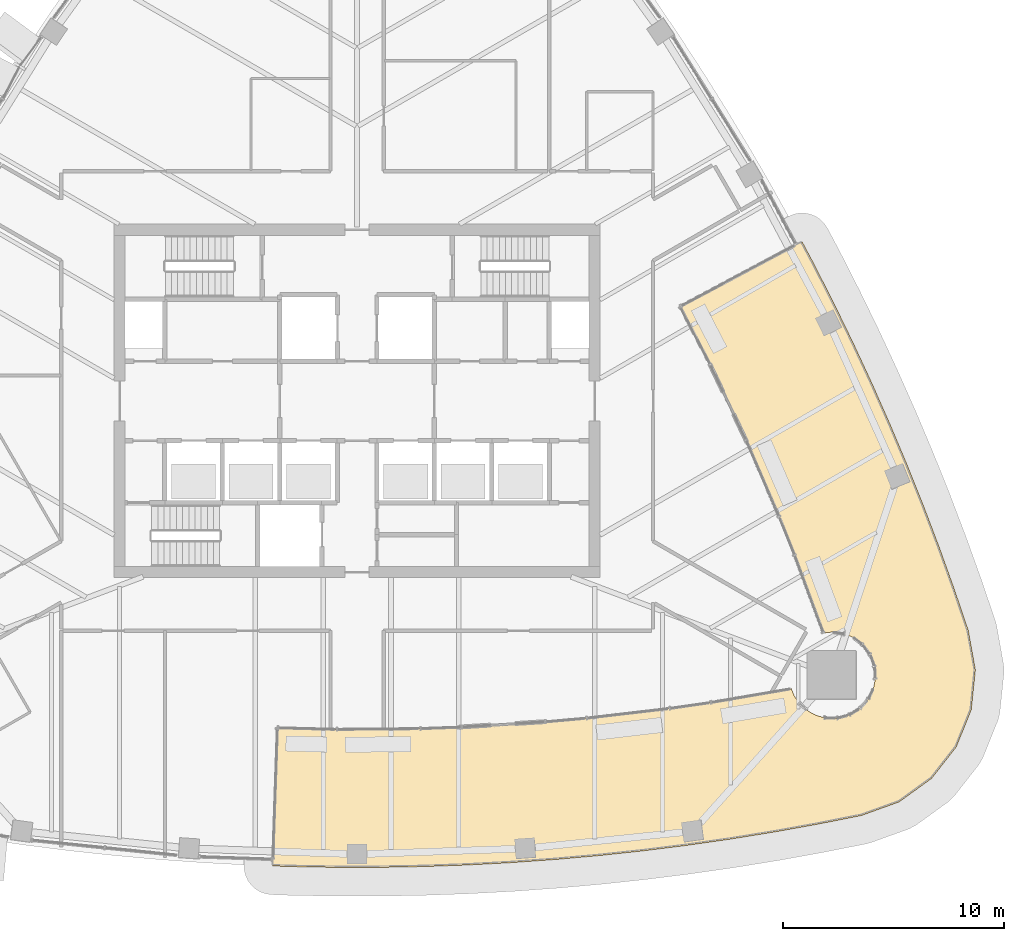
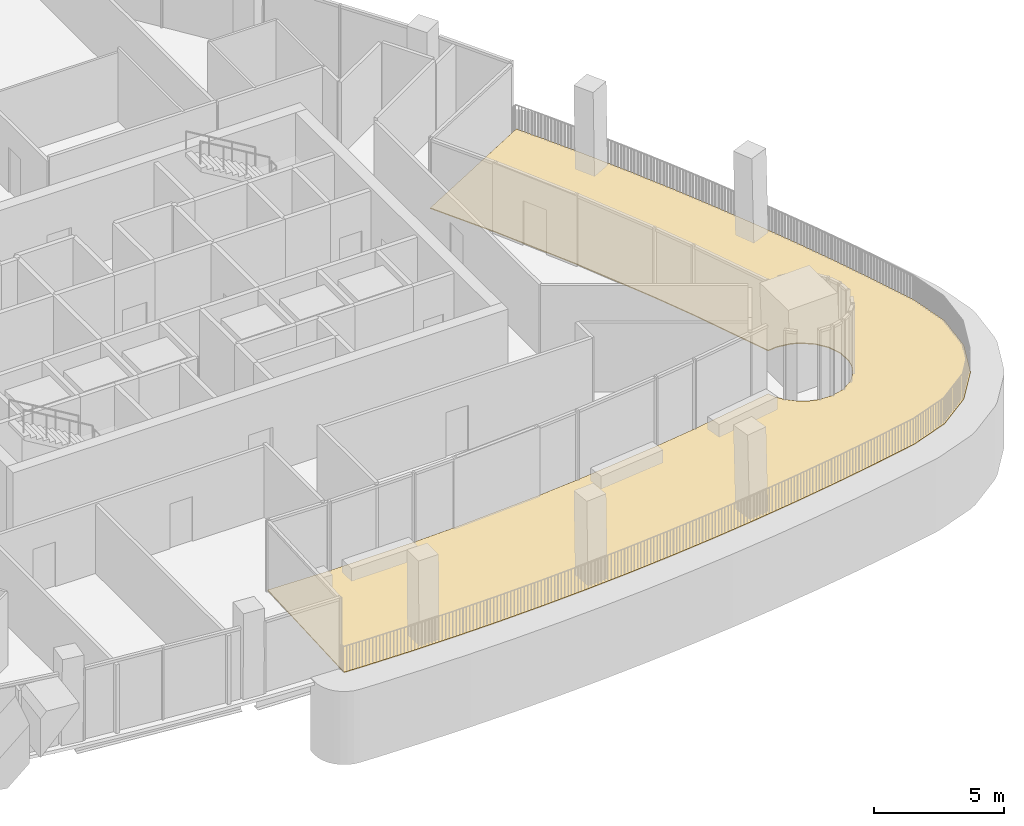
# One storey, part 18 of 21: 1 covering.
"""IFC4 building model written with IfcOpenShell, lengths in metres."""

import ifcopenshell
import ifcopenshell.guid

model = None  # the IFC model being written
_history = None  # IfcOwnerHistory: only IFC2X3 demands one
_inside = {}  # id of a spatial element -> (the spatial element, [elements in it])
_under = {}  # id of a project, library or spatial element -> (it, [spatial elements below it])
_declared = {}  # id of a project -> (the project, [libraries it declares])
_typed = {}  # id of a type object -> (the type object, [elements of that type])
_made_of = {}  # id of a material, layer set ... -> (it, [elements and type objects made of it])


def new_model(schema):
    """Start an empty IFC model of exactly this schema.

    Asked for "IFC4X3", IfcOpenShell would pick the latest addendum, in which some entities
    have other attributes; the version numbers below select the first issue.
    IFC2X3 requires an IfcOwnerHistory on every rooted entity: one is made here for all.
    """
    global model, _history
    if schema == "IFC4X3":
        model = ifcopenshell.file(schema_version=(4, 3, 0, 0))
    else:
        model = ifcopenshell.file(schema=schema)
    _inside.clear()
    _under.clear()
    _declared.clear()
    _typed.clear()
    _made_of.clear()
    _history = None
    if model.schema == "IFC2X3":
        org = make("IfcOrganization", Name="unknown")
        user = make(
            "IfcPersonAndOrganization",
            ThePerson=make("IfcPerson", FamilyName="unknown"),
            TheOrganization=org,
        )
        app = make(
            "IfcApplication",
            ApplicationDeveloper=org,
            Version="unknown",
            ApplicationFullName="unknown",
            ApplicationIdentifier="unknown",
        )
        _history = make(
            "IfcOwnerHistory",
            OwningUser=user,
            OwningApplication=app,
            ChangeAction="ADDED",
            CreationDate=0,
        )
    return model


def make(cls, **values):
    """One entity of the class cls with the attributes given. An attribute that is None is left unset."""
    return model.create_entity(
        cls, **{name: value for name, value in values.items() if value is not None}
    )


def rooted(cls, **values):
    """An entity with a GlobalId (a new one), such as an element, a storey or a relation."""
    return make(cls, GlobalId=ifcopenshell.guid.new(), OwnerHistory=_history, **values)


def si_unit(unit_type, name, prefix=None):
    """IfcSIUnit, for example si_unit("LENGTHUNIT", "METRE", prefix="MILLI")."""
    return make("IfcSIUnit", UnitType=unit_type, Prefix=prefix, Name=name)


def assignment(units):
    """IfcUnitAssignment: the units of a project."""
    return None if units is None else make("IfcUnitAssignment", Units=units)


def point(xyz):
    """IfcCartesianPoint."""
    return None if xyz is None else make("IfcCartesianPoint", Coordinates=xyz)


def direction(xyz):
    """IfcDirection."""
    return None if xyz is None else make("IfcDirection", DirectionRatios=xyz)


def frame(location, z_axis=None, x_axis=None):
    """IfcAxis2Placement3D, a coordinate frame: its origin and axes. An axis left out is left unset."""
    return make(
        "IfcAxis2Placement3D",
        Location=point(location),
        Axis=direction(z_axis),
        RefDirection=direction(x_axis),
    )


def origin():
    """The frame at (0, 0, 0) with its axes left unset."""
    return frame((0.0, 0.0, 0.0))


def place(relative_to, where):
    """IfcLocalPlacement: puts the frame where relative to a parent placement (None: the world)."""
    return make(
        "IfcLocalPlacement", PlacementRelTo=relative_to, RelativePlacement=where
    )


def context(
    kind, dimensions, precision=None, world=None, true_north=None, identifier=None
):
    """IfcGeometricRepresentationContext, for example the 3D "Model" context."""
    return make(
        "IfcGeometricRepresentationContext",
        ContextIdentifier=identifier,
        ContextType=kind,
        CoordinateSpaceDimension=dimensions,
        Precision=precision,
        WorldCoordinateSystem=world,
        TrueNorth=true_north,
    )


def subcontext(parent, identifier, kind, view, scale=None):
    """IfcGeometricRepresentationSubContext, for example "Body" below "Model"."""
    return make(
        "IfcGeometricRepresentationSubContext",
        ContextIdentifier=identifier,
        ContextType=kind,
        ParentContext=parent,
        TargetScale=scale,
        TargetView=view,
    )


def project(units=None, contexts=None):
    """IfcProject with its units and contexts."""
    return rooted(
        "IfcProject",
        Name="project",
        RepresentationContexts=contexts,
        UnitsInContext=assignment(units),
    )


def spatial(cls, under=None, at=None, **own):
    """A site, building, storey or space (cls), placed at a placement, below another one or the project."""
    s = rooted(cls, ObjectPlacement=at, **own)
    if under is not None:
        _under.setdefault(under.id(), (under, []))[1].append(s)
    return s


def polyline(points):
    """IfcPolyline through the points."""
    return make("IfcPolyline", Points=[point(p) for p in points])


def outline(outer, holes=None, kind="AREA"):
    """IfcArbitraryClosedProfileDef: a profile drawn as a closed curve; with holes, ...WithVoids."""
    if holes is None:
        return make("IfcArbitraryClosedProfileDef", ProfileType=kind, OuterCurve=outer)
    return make(
        "IfcArbitraryProfileDefWithVoids",
        ProfileType=kind,
        OuterCurve=outer,
        InnerCurves=holes,
    )


def extrude(swept, where, along, depth):
    """IfcExtrudedAreaSolid: the profile swept, set in the frame where, extruded along a direction by depth."""
    return make(
        "IfcExtrudedAreaSolid",
        SweptArea=swept,
        Position=where,
        ExtrudedDirection=direction(along),
        Depth=depth,
    )


def shape(context_of_items, identifier, shape_type, items):
    """IfcShapeRepresentation: the items that make up one representation, for example the "Body"."""
    return make(
        "IfcShapeRepresentation",
        ContextOfItems=context_of_items,
        RepresentationIdentifier=identifier,
        RepresentationType=shape_type,
        Items=items,
    )


def material(Name=None, Category=None):
    """IfcMaterial."""
    return make("IfcMaterial", Name=Name, Category=Category)


def layer(
    of_material, thickness, ventilated=None, Name=None, Category=None, Priority=None
):
    """IfcMaterialLayer: one layer of a wall or slab, of a material (None: an air gap)."""
    return make(
        "IfcMaterialLayer",
        Material=of_material,
        LayerThickness=thickness,
        IsVentilated=ventilated,
        Name=Name,
        Category=Category,
        Priority=Priority,
    )


def layer_set(layers, Name=None):
    """IfcMaterialLayerSet."""
    return make("IfcMaterialLayerSet", MaterialLayers=layers, LayerSetName=Name)


def made_of(thing, what):
    """Note that an element or type object is made of a material, layer set ...; save() writes the relation."""
    if what is not None:
        _made_of.setdefault(what.id(), (what, []))[1].append(thing)
    return thing


def type_object(cls, material=None, **own):
    """A type object (cls), such as IfcWallType, which elements share."""
    return made_of(rooted(cls, **own), material)


def element(
    cls,
    number,
    at=None,
    inside=None,
    cuts=None,
    type_object=None,
    material=None,
    context=None,
    identifier="Body",
    shape_type=None,
    held_by="IfcProductDefinitionShape",
    body=None,
    shapes=None,
    **own,
):
    """One element of the class cls, such as IfcWall. Its Tag is "e" and its number.

    at: its placement. inside: the storey or other place that contains it. cuts: it is an
    opening in that element (IfcRelVoidsElement). A single representation is given by context,
    identifier, shape_type and body (its items); several are given by shapes. held_by: the class
    of the entity that holds the representations. save() writes the other relations.
    """
    e = rooted(cls, Tag="e%d" % number, ObjectPlacement=at, **own)
    if body is not None:
        shapes = [shape(context, identifier, shape_type, body)]
    if shapes is not None:
        e.Representation = make(held_by, Representations=shapes)
    if inside is not None:
        _inside.setdefault(inside.id(), (inside, []))[1].append(e)
    if cuts is not None:
        rooted(
            "IfcRelVoidsElement", RelatingBuildingElement=cuts, RelatedOpeningElement=e
        )
    if type_object is not None:
        _typed.setdefault(type_object.id(), (type_object, []))[1].append(e)
    return made_of(e, material)


def aggregate(whole, parts):
    """IfcRelAggregates: a whole, such as a stair, and the parts it consists of."""
    return rooted("IfcRelAggregates", RelatingObject=whole, RelatedObjects=parts)


def save(model, path):
    """Write the relations noted so far, then the file.

    IfcRelAggregates (storeys below a building ...), IfcRelContainedInSpatialStructure (elements
    in a storey), IfcRelDefinesByType, IfcRelAssociatesMaterial and IfcRelDeclares: one each for
    every whole, place, type object, material and project.
    """
    for whole, parts in _under.values():
        aggregate(whole, parts)
    for where, things in _inside.values():
        rooted(
            "IfcRelContainedInSpatialStructure",
            RelatedElements=things,
            RelatingStructure=where,
        )
    for kind, things in _typed.values():
        rooted("IfcRelDefinesByType", RelatedObjects=things, RelatingType=kind)
    for what, things in _made_of.values():
        rooted("IfcRelAssociatesMaterial", RelatedObjects=things, RelatingMaterial=what)
    for by, libraries in _declared.values():
        rooted("IfcRelDeclares", RelatingContext=by, RelatedDefinitions=libraries)
    model.write(path)


model = new_model("IFC4")

# Units and contexts
model_context = context("Model", 3, precision=1e-05, world=origin(), true_north=direction((0.0, 1.0)))
body_context = subcontext(model_context, "Body", "Model", "MODEL_VIEW")
ifc_project = project(units=[si_unit("LENGTHUNIT", "METRE"), si_unit("AREAUNIT", "SQUARE_METRE"), si_unit("VOLUMEUNIT", "CUBIC_METRE"), si_unit("PLANEANGLEUNIT", "RADIAN"), si_unit("MASSUNIT", "GRAM", prefix="KILO")], contexts=[model_context])

# Site, building, storey
site_placement = place(None, origin())
site = spatial("IfcSite", under=ifc_project, at=site_placement, CompositionType="ELEMENT")
building_placement = place(site_placement, origin())
building = spatial("IfcBuilding", under=site, at=building_placement, Name="Sierra Prisma Convention Tower", CompositionType="ELEMENT")
storey_placement = place(building_placement, frame((0.0, 0.0, 259.0)))
storey = spatial("IfcBuildingStorey", under=building, at=storey_placement, Name="L58", CompositionType="ELEMENT", Elevation=259.0)

# Covering
ifc_material = material(Name="Porcelain stoneware paving", Category="masonry")
ifc_layer = layer(ifc_material, 0.0400390625)
ifc_layer_set = layer_set([ifc_layer], Name="Terrace paving")
covering_type = type_object("IfcCoveringType", Name="Terrace paving", PredefinedType="FLOORING", material=ifc_layer_set)
covering_placement = place(storey_placement, origin())
element("IfcCovering", 1, at=covering_placement, inside=storey, type_object=covering_type, Name="Terrace paving L58", PredefinedType="FLOORING", context=body_context, shape_type="SweptSolid", body=[
    extrude(outline(polyline([(-3.826171875, -21.05322265625), (-2.9990234375, -21.082763671875), (-0.999755859375, -21.118408203125), (0.999755859375, -21.118408203125), (2.9990234375, -21.082763671875), (4.99755859375, -21.01123046875), (6.994384765625, -20.904052734375), (8.98876953125, -20.761474609375), (10.98046875, -20.5830078125), (12.96875, -20.369140625), (14.95263671875, -20.119873046875), (16.931884765625, -19.8349609375), (18.90576171875, -19.514892578125), (20.87353515625, -19.15966796875), (22.834716796875, -18.769287109375), (24.541259765625, -18.154541015625), (26.010986328125, -17.09130859375), (27.128662109375, -15.66259765625), (27.806884765625, -13.98046875), (27.992919921875, -12.176025390625), (27.672119140625, -10.390869140625), (27.029541015625, -8.497314453125), (26.353271484375, -6.615478515625), (25.6435546875, -4.74609375), (24.900634765625, -2.889404296875), (24.12451171875, -1.046630859375), (23.315673828125, 0.7822265625), (22.474365234375, 2.59619140625), (21.6005859375, 4.394775390625), (20.695068359375, 6.177734375), (20.145751953125, 7.212890625), (14.622802734375, 4.272216796875), (16.003173828125, 1.614013671875), (17.622314453125, -1.796875), (19.11865234375, -5.263671875), (19.8203125, -7.016357421875), (21.1103515625, -10.5068359375), (21.51171875, -10.464111328125), (22.07958984375, -10.54833984375), (22.43359375, -10.695068359375), (22.894775390625, -11.037109375), (23.236572265625, -11.498046875), (23.429931640625, -12.038330078125), (23.4580078125, -12.611572265625), (23.38330078125, -12.987548828125), (23.137939453125, -13.50634765625), (22.75244140625, -13.931640625), (22.26025390625, -14.2265625), (21.70361328125, -14.365966796875), (21.13037109375, -14.337890625), (20.763427734375, -14.2265625), (20.42529296875, -14.0458984375), (20.0, -13.660400390625), (19.787109375, -13.341796875), (19.655029296875, -13.028564453125), (15.986572265625, -13.65673828125), (14.117919921875, -13.925537109375), (10.367431640625, -14.363037109375), (8.487060546875, -14.53125), (4.718505859375, -14.767333984375), (2.831787109375, -14.834716796875), (-0.944091796875, -14.868408203125), (-3.611328125, -14.796875), (-3.826171875, -21.05322265625)])), origin(), (0.0, 0.0, 1.0), 0.0400390625),
])

save(model, "model.ifc")
